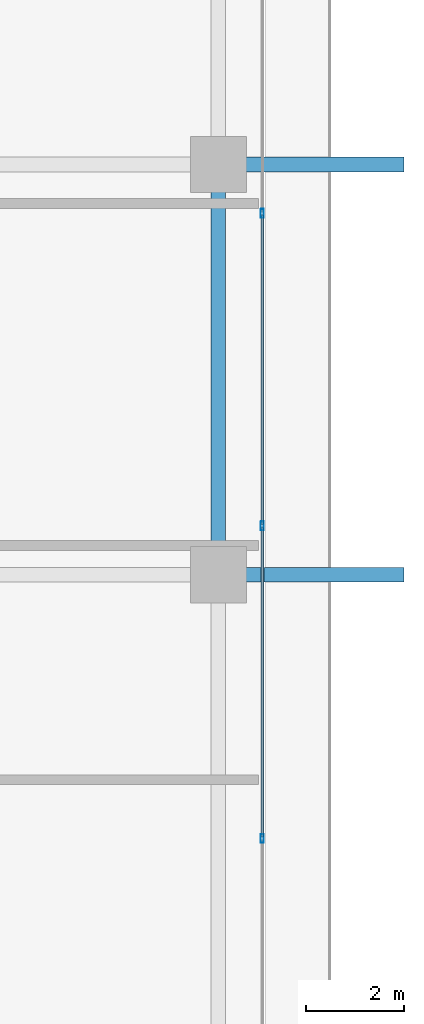
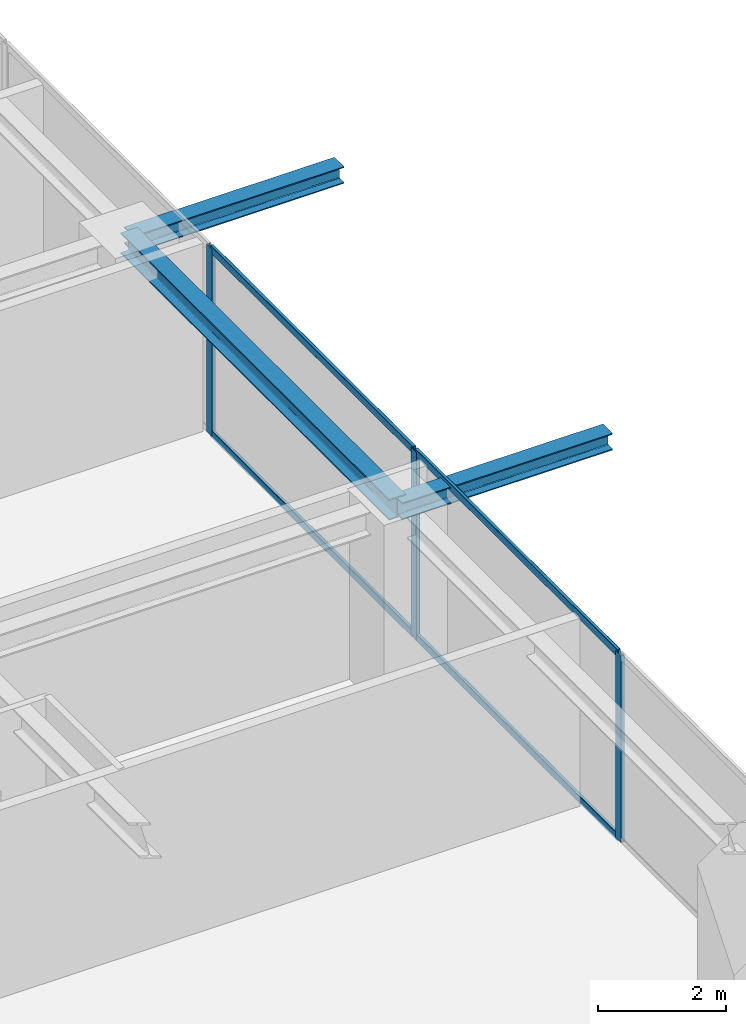
# One storey, part 16 of 36: 7 members, 3 beams, 1 element without a shape of its own.
"""IFC4 building model written with IfcOpenShell, lengths in metres."""

from ifc_helpers import new_model, si_unit, direction, frame, origin, origin_2d, place, context, subcontext, project, spatial, hollow_rectangle, i_section, extrude, source, transform, mapped, material, layer, layer_set, material_profile, profile_set, type_object, element, aggregate, save


model = new_model("IFC4")

# Units and contexts
model_context = context("Model", 3, precision=1e-05, world=origin(), true_north=direction((0.0, 1.0)))
body_context = subcontext(model_context, "Body", "Model", "MODEL_VIEW")
ifc_project = project(units=[si_unit("LENGTHUNIT", "METRE"), si_unit("AREAUNIT", "SQUARE_METRE"), si_unit("VOLUMEUNIT", "CUBIC_METRE"), si_unit("PLANEANGLEUNIT", "RADIAN"), si_unit("MASSUNIT", "GRAM", prefix="KILO")], contexts=[model_context])

# Site, building, storey
site_placement = place(None, origin())
site = spatial("IfcSite", under=ifc_project, at=site_placement, CompositionType="ELEMENT")
building_placement = place(site_placement, origin())
building = spatial("IfcBuilding", under=site, at=building_placement, Name="Serunith Strait Residences", CompositionType="ELEMENT")
storey_placement = place(building_placement, frame((0.0, 0.0, 256.64990234375)))
storey = spatial("IfcBuildingStorey", under=building, at=storey_placement, Name="L64", CompositionType="ELEMENT", Elevation=256.64990234375)

# Beams
ifc_material_1 = material(Name="Steel S355J2", Category="steel")
ifc_material_profile_1 = material_profile(ifc_material_1, i_section(OverallWidth=0.300048828125, OverallDepth=0.39990234375, WebThickness=0.013427734375, FlangeThickness=0.02392578125, FilletRadius=0.027099609375, at=origin_2d()), Name="HEB 400")
ifc_profile_set_1 = profile_set([ifc_material_profile_1], Name="Steel S355J2")
beam_type_1 = type_object("IfcBeamType", Name="BM-HEB400", PredefinedType="BEAM", material=ifc_profile_set_1)
shared_shape_1 = source(origin(), body_context, "Body", "SweptSolid", [
    extrude(i_section(OverallWidth=0.300048828125, OverallDepth=0.39990234375, WebThickness=0.013427734375, FlangeThickness=0.02392578125, FilletRadius=0.027099609375, at=origin_2d()), origin(), (0.0, 0.0, 1.0), 8.39990234375),
])
beam_placement = place(storey_placement, frame((56.5, 21.0, 3.38720703125), z_axis=(0.0, 1.0, 0.0), x_axis=(-1.0, 0.0, 0.0)))
element("IfcBeam", 1, at=beam_placement, inside=storey, type_object=beam_type_1, Name="L64 Perimeter Ring Beam 06", PredefinedType="BEAM", context=body_context, shape_type="MappedRepresentation", body=[
    mapped(shared_shape_1, transform((0.0, 0.0, 0.0), scale=1.0)),
])
ifc_material_profile_2 = material_profile(ifc_material_1, i_section(OverallWidth=0.300048828125, OverallDepth=0.320068359375, WebThickness=0.011474609375, FlangeThickness=0.0205078125, FilletRadius=0.027099609375, at=origin_2d()), Name="HEB 320")
ifc_profile_set_2 = profile_set([ifc_material_profile_2], Name="Steel S355J2")
beam_type_2 = type_object("IfcBeamType", Name="BM-HEB320", PredefinedType="BEAM", material=ifc_profile_set_2)
shared_shape_2 = source(origin(), body_context, "Body", "SweptSolid", [
    extrude(i_section(OverallWidth=0.300048828125, OverallDepth=0.320068359375, WebThickness=0.011474609375, FlangeThickness=0.0205078125, FilletRadius=0.027099609375, at=origin_2d()), origin(), (0.0, 0.0, 1.0), 3.800048828125),
])
for number, where, z_axis, x_axis, name in (
    (2, (56.5, 21.0, 3.397216796875), (1.0, 0.0, 0.0), (0.0, 1.0, 0.0), "L65 Cantilevered Balcony Rib TC-E2"),
    (3, (56.5, 29.39990234375, 3.397216796875), (1.0, 0.0, 0.0), (0.0, 1.0, 0.0), "L65 Cantilevered Balcony Rib TC-E3"),
):
    element("IfcBeam", number, at=place(storey_placement, frame(where, z_axis=z_axis, x_axis=x_axis)), inside=storey, type_object=beam_type_2, Name=name, PredefinedType="BEAM", context=body_context, shape_type="MappedRepresentation", body=[
        mapped(shared_shape_2, transform((0.0, 0.0, 0.0), scale=1.0)),
    ])

# Curtain wall, members
ifc_material_2 = material(Name="Pale-Champagne Anodised Aluminium", Category="aluminium")
ifc_layer = layer(ifc_material_2, 0.199951171875, Name="Pale-Champagne Anodised Aluminium")
ifc_layer_set = layer_set([ifc_layer], Name="Pale-Champagne Anodised Aluminium")
curtain_wall_type = type_object("IfcCurtainWallType", Name="CW-SYS4", PredefinedType="NOTDEFINED", material=ifc_layer_set)
curtain_wall_placement = place(storey_placement, origin())
curtain_wall = element("IfcCurtainWall", 4, at=curtain_wall_placement, inside=storey, type_object=curtain_wall_type, Name="L64 E Unitised Fritted Curtain Wall", PredefinedType="NOTDEFINED")
ifc_material_profile_3 = material_profile(ifc_material_2, hollow_rectangle(XDim=0.06005859375, YDim=0.139892578125, WallThickness=0.00341796875, InnerFilletRadius=0.00537109375, OuterFilletRadius=0.0087890625, at=origin_2d()), Name="ALU 140x60x3.5")
ifc_profile_set_3 = profile_set([ifc_material_profile_3], Name="Pale-Champagne Anodised Aluminium")
member_type_1 = type_object("IfcMemberType", Name="CW-SYS4-TRAN", PredefinedType="USERDEFINED", material=ifc_profile_set_3)
shared_shape_3 = source(origin(), body_context, "Body", "SweptSolid", [
    extrude(hollow_rectangle(XDim=0.06005859375, YDim=0.139892578125, WallThickness=0.00341796875, InnerFilletRadius=0.00537109375, OuterFilletRadius=0.0087890625, at=origin_2d()), origin(), (0.0, 0.0, 1.0), 6.3349609375),
])
member_1_placement = place(storey_placement, frame((57.39990234375, 15.632568359375, 0.030029296875), z_axis=(0.0, 1.0, 0.0), x_axis=(-1.0, 0.0, 0.0)))
member_1 = element("IfcMember", 5, at=member_1_placement, type_object=member_type_1, Name="CW-4 transom 2.1", ObjectType="TRANSOM", PredefinedType="USERDEFINED", context=body_context, shape_type="MappedRepresentation", body=[
    mapped(shared_shape_3, transform((0.0, 0.0, 0.0), scale=1.0)),
])
member_2_placement = place(storey_placement, frame((57.39990234375, 15.632568359375, 3.545166015625), z_axis=(0.0, 1.0, 0.0), x_axis=(-1.0, 0.0, 0.0)))
member_2 = element("IfcMember", 6, at=member_2_placement, type_object=member_type_1, Name="CW-4 transom 2.2", ObjectType="TRANSOM", PredefinedType="USERDEFINED", context=body_context, shape_type="MappedRepresentation", body=[
    mapped(shared_shape_3, transform((0.0, 0.0, 0.0), scale=1.0)),
])
member_3_placement = place(storey_placement, frame((57.39990234375, 22.032470703125, 0.030029296875), z_axis=(0.0, 1.0, 0.0), x_axis=(-1.0, 0.0, 0.0)))
member_3 = element("IfcMember", 7, at=member_3_placement, type_object=member_type_1, Name="CW-4 transom 3.1", ObjectType="TRANSOM", PredefinedType="USERDEFINED", context=body_context, shape_type="MappedRepresentation", body=[
    mapped(shared_shape_3, transform((0.0, 0.0, 0.0), scale=1.0)),
])
member_4_placement = place(storey_placement, frame((57.39990234375, 22.032470703125, 3.545166015625), z_axis=(0.0, 1.0, 0.0), x_axis=(-1.0, 0.0, 0.0)))
member_4 = element("IfcMember", 8, at=member_4_placement, type_object=member_type_1, Name="CW-4 transom 3.2", ObjectType="TRANSOM", PredefinedType="USERDEFINED", context=body_context, shape_type="MappedRepresentation", body=[
    mapped(shared_shape_3, transform((0.0, 0.0, 0.0), scale=1.0)),
])
ifc_material_profile_4 = material_profile(ifc_material_2, hollow_rectangle(XDim=0.06494140625, YDim=0.179931640625, WallThickness=0.00341796875, InnerFilletRadius=0.00537109375, OuterFilletRadius=0.0087890625, at=origin_2d()), Name="ALU 180x65x3.5")
ifc_profile_set_4 = profile_set([ifc_material_profile_4], Name="Pale-Champagne Anodised Aluminium")
member_type_2 = type_object("IfcMemberType", Name="CW-SYS4-MULL", PredefinedType="MULLION", material=ifc_profile_set_4)
shared_shape_4 = source(origin(), body_context, "Body", "SweptSolid", [
    extrude(hollow_rectangle(XDim=0.06494140625, YDim=0.179931640625, WallThickness=0.00341796875, InnerFilletRadius=0.00537109375, OuterFilletRadius=0.0087890625, at=origin_2d()), origin(), (0.0, 0.0, 1.0), 3.5751953125),
])
member_5_placement = place(storey_placement, frame((57.39990234375, 15.60009765625, 0.0), z_axis=(0.0, 0.0, 1.0), x_axis=(-1.0, 0.0, 0.0)))
member_5 = element("IfcMember", 9, at=member_5_placement, type_object=member_type_2, Name="CW-4 mullion 2", PredefinedType="MULLION", context=body_context, shape_type="MappedRepresentation", body=[
    mapped(shared_shape_4, transform((0.0, 0.0, 0.0), scale=1.0)),
])
member_6_placement = place(storey_placement, frame((57.39990234375, 22.0, 0.0), z_axis=(0.0, 0.0, 1.0), x_axis=(-1.0, 0.0, 0.0)))
member_6 = element("IfcMember", 10, at=member_6_placement, type_object=member_type_2, Name="CW-4 mullion 3", PredefinedType="MULLION", context=body_context, shape_type="MappedRepresentation", body=[
    mapped(shared_shape_4, transform((0.0, 0.0, 0.0), scale=1.0)),
])
member_7_placement = place(storey_placement, frame((57.39990234375, 28.39990234375, 0.0), z_axis=(0.0, 0.0, 1.0), x_axis=(-1.0, 0.0, 0.0)))
member_7 = element("IfcMember", 11, at=member_7_placement, type_object=member_type_2, Name="CW-4 mullion 4", PredefinedType="MULLION", context=body_context, shape_type="MappedRepresentation", body=[
    mapped(shared_shape_4, transform((0.0, 0.0, 0.0), scale=1.0)),
])
aggregate(curtain_wall, [member_5, member_6, member_7, member_1, member_2, member_3, member_4])

save(model, "model.ifc")
